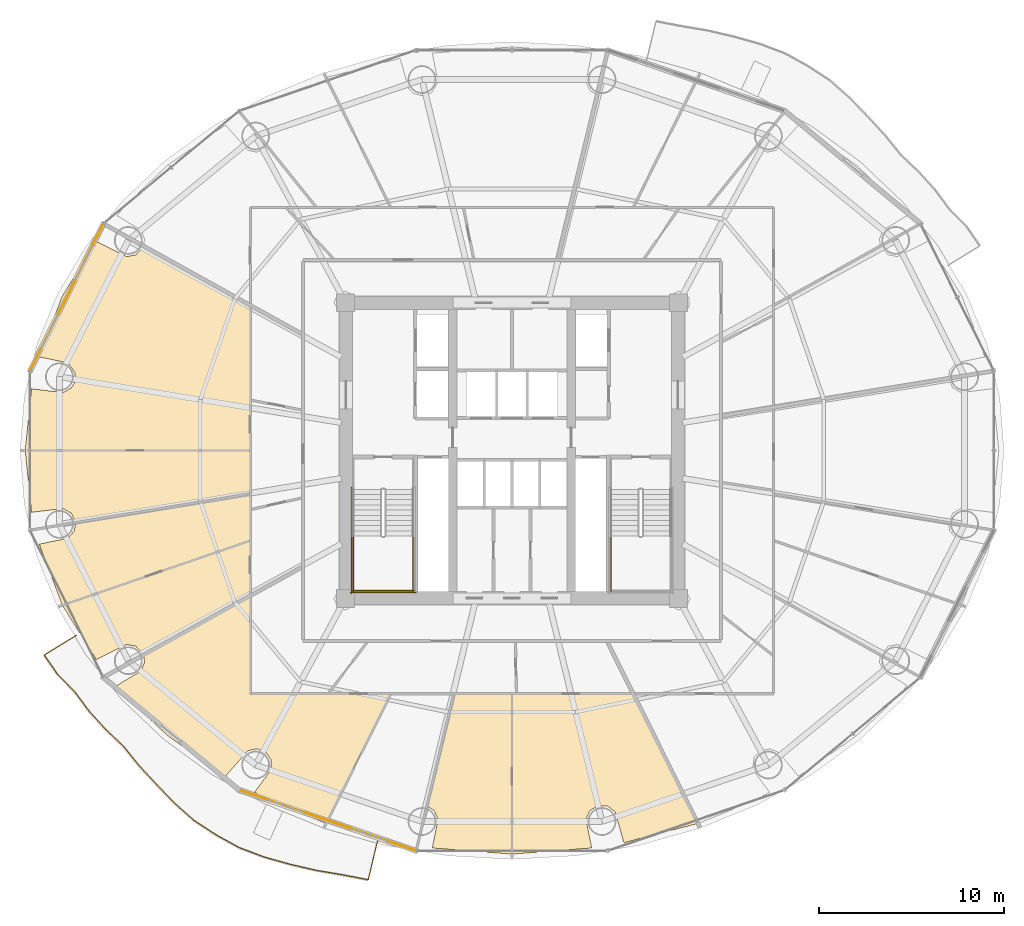
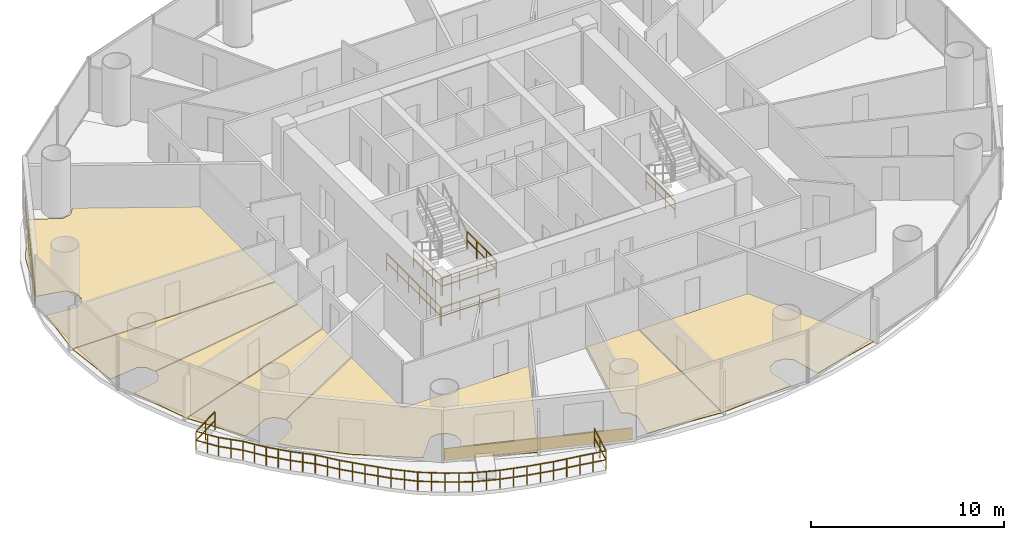
# One storey, part 25 of 28: 9 coverings, 7 railings.
"""IFC4 building model written with IfcOpenShell, lengths in metres."""

from ifc_helpers import new_model, si_unit, direction, frame, origin, origin_2d, place, context, subcontext, project, spatial, polyline, rectangle, outline, extrude, source, transform, mapped, material, layer, layer_set, type_object, element, save


model = new_model("IFC4")

# Units and contexts
model_context = context("Model", 3, precision=1e-05, world=origin(), true_north=direction((-0.2419218956, 0.970295726276)))
body_context = subcontext(model_context, "Body", "Model", "MODEL_VIEW")
ifc_project = project(units=[si_unit("LENGTHUNIT", "METRE"), si_unit("AREAUNIT", "SQUARE_METRE"), si_unit("VOLUMEUNIT", "CUBIC_METRE"), si_unit("PLANEANGLEUNIT", "RADIAN"), si_unit("MASSUNIT", "GRAM", prefix="KILO")], contexts=[model_context])

# Site, building, storey
site_placement = place(None, origin())
site = spatial("IfcSite", under=ifc_project, at=site_placement, CompositionType="ELEMENT")
building_placement = place(site_placement, origin())
building = spatial("IfcBuilding", under=site, at=building_placement, Name="Cobrevalo Terracotta Tower", CompositionType="ELEMENT")
storey_placement = place(building_placement, frame((0.0, 0.0, 108.60009765625)))
storey = spatial("IfcBuildingStorey", under=building, at=storey_placement, Name="L28", CompositionType="ELEMENT", Elevation=108.60009765625)

# Railing
ifc_material_1 = material(Name="Laminated structural glass and stainless steel", Category="steel")
railing_type_1 = type_object("IfcRailingType", Name="Balcony lobe structural glass & terracotta-cap balustrade 1180 mm", PredefinedType="BALUSTRADE", material=ifc_material_1)
railing_1_placement = place(storey_placement, frame((14.4384765625, 16.809814453125, 0.0)))
element("IfcRailing", 1, at=railing_1_placement, inside=storey, type_object=railing_type_1, Name="L28 spiralling balcony lobe balustrade 2", PredefinedType="BALUSTRADE", context=body_context, shape_type="SweptSolid", body=[
    extrude(rectangle(XDim=0.048095703125, YDim=0.048095703125, at=origin_2d()), frame((0.0, 0.0, 1.15576171875), z_axis=(-0.852273913913, -0.523095761465, 0.0), x_axis=(0.523095761465, -0.852273913913, 0.0)), (0.0, 0.0, 1.0), 2.02685546875),
    extrude(rectangle(XDim=0.048095703125, YDim=0.048095703125, at=origin_2d()), frame((0.0, 0.0, 0.58984375), z_axis=(-0.852273913913, -0.523095761465, 0.0), x_axis=(0.523095761465, -0.852273913913, 0.0)), (0.0, 0.0, 1.0), 2.02685546875),
    extrude(rectangle(XDim=0.048095703125, YDim=0.048095703125, at=origin_2d()), frame((-1.7275390625, -1.060302734375, 1.15576171875), z_axis=(0.568410862459, -0.822744851967, 0.0), x_axis=(0.822744851967, 0.568410862459, 0.0)), (0.0, 0.0, 1.0), 1.287353515625),
    extrude(rectangle(XDim=0.048095703125, YDim=0.048095703125, at=origin_2d()), frame((-1.7275390625, -1.060302734375, 0.58984375), z_axis=(0.568410862459, -0.822744851967, 0.0), x_axis=(0.822744851967, 0.568410862459, 0.0)), (0.0, 0.0, 1.0), 1.287353515625),
    extrude(rectangle(XDim=0.048095703125, YDim=0.048095703125, at=origin_2d()), frame((-0.995849609375, -2.119384765625, 1.15576171875), z_axis=(0.70227901407, -0.71190180952, 0.0), x_axis=(0.71190180952, 0.70227901407, 0.0)), (0.0, 0.0, 1.0), 1.3193359375),
    extrude(rectangle(XDim=0.048095703125, YDim=0.048095703125, at=origin_2d()), frame((-0.995849609375, -2.119384765625, 0.58984375), z_axis=(0.70227901407, -0.71190180952, 0.0), x_axis=(0.71190180952, 0.70227901407, 0.0)), (0.0, 0.0, 1.0), 1.3193359375),
    extrude(rectangle(XDim=0.048095703125, YDim=0.048095703125, at=origin_2d()), frame((-0.0693359375, -3.05859375, 1.15576171875), z_axis=(0.594354215831, -0.804203373609, 0.0), x_axis=(0.804203373609, 0.594354215831, 0.0)), (0.0, 0.0, 1.0), 1.30419921875),
    extrude(rectangle(XDim=0.048095703125, YDim=0.048095703125, at=origin_2d()), frame((-0.0693359375, -3.05859375, 0.58984375), z_axis=(0.594354215831, -0.804203373609, 0.0), x_axis=(0.804203373609, 0.594354215831, 0.0)), (0.0, 0.0, 1.0), 1.30419921875),
    extrude(rectangle(XDim=0.048095703125, YDim=0.048095703125, at=origin_2d()), frame((0.705810546875, -4.107421875, 1.15576171875), z_axis=(0.673033718972, -0.739611798937, 0.0), x_axis=(0.739611798937, 0.673033718972, 0.0)), (0.0, 0.0, 1.0), 1.312744140625),
    extrude(rectangle(XDim=0.048095703125, YDim=0.048095703125, at=origin_2d()), frame((0.705810546875, -4.107421875, 0.58984375), z_axis=(0.673033718972, -0.739611798937, 0.0), x_axis=(0.739611798937, 0.673033718972, 0.0)), (0.0, 0.0, 1.0), 1.312744140625),
    extrude(rectangle(XDim=0.048095703125, YDim=0.048095703125, at=origin_2d()), frame((1.58935546875, -5.078369140625, 1.15576171875), z_axis=(0.725494251527, -0.688228225955, 0.0), x_axis=(0.688228225955, 0.725494251527, 0.0)), (0.0, 0.0, 1.0), 1.329833984375),
    extrude(rectangle(XDim=0.048095703125, YDim=0.048095703125, at=origin_2d()), frame((1.58935546875, -5.078369140625, 0.58984375), z_axis=(0.725494251527, -0.688228225955, 0.0), x_axis=(0.688228225955, 0.725494251527, 0.0)), (0.0, 0.0, 1.0), 1.329833984375),
    extrude(rectangle(XDim=0.048095703125, YDim=0.048095703125, at=origin_2d()), frame((2.55419921875, -5.99365234375, 1.15576171875), z_axis=(0.628215103028, -0.778039706138, 0.0), x_axis=(0.778039706138, 0.628215103028, 0.0)), (0.0, 0.0, 1.0), 1.350830078125),
    extrude(rectangle(XDim=0.048095703125, YDim=0.048095703125, at=origin_2d()), frame((2.55419921875, -5.99365234375, 0.58984375), z_axis=(0.628215103028, -0.778039706138, 0.0), x_axis=(0.778039706138, 0.628215103028, 0.0)), (0.0, 0.0, 1.0), 1.350830078125),
    extrude(rectangle(XDim=0.048095703125, YDim=0.048095703125, at=origin_2d()), frame((3.40283203125, -7.044677734375, 1.15576171875), z_axis=(0.679284720325, -0.733874831789, 0.0), x_axis=(0.733874831789, 0.679284720325, 0.0)), (0.0, 0.0, 1.0), 1.3818359375),
    extrude(rectangle(XDim=0.048095703125, YDim=0.048095703125, at=origin_2d()), frame((3.40283203125, -7.044677734375, 0.58984375), z_axis=(0.679284720325, -0.733874831789, 0.0), x_axis=(0.733874831789, 0.679284720325, 0.0)), (0.0, 0.0, 1.0), 1.3818359375),
    extrude(rectangle(XDim=0.048095703125, YDim=0.048095703125, at=origin_2d()), frame((4.341552734375, -8.058837890625, 1.15576171875), z_axis=(0.69411947724, -0.719859813655, 0.0), x_axis=(0.719859813655, 0.69411947724, 0.0)), (0.0, 0.0, 1.0), 1.40380859375),
    extrude(rectangle(XDim=0.048095703125, YDim=0.048095703125, at=origin_2d()), frame((4.341552734375, -8.058837890625, 0.58984375), z_axis=(0.69411947724, -0.719859813655, 0.0), x_axis=(0.719859813655, 0.69411947724, 0.0)), (0.0, 0.0, 1.0), 1.40380859375),
    extrude(rectangle(XDim=0.048095703125, YDim=0.048095703125, at=origin_2d()), frame((5.31591796875, -9.0693359375, 1.15576171875), z_axis=(0.748333294176, -0.663322908414, 0.0), x_axis=(0.663322908414, 0.748333294176, 0.0)), (0.0, 0.0, 1.0), 1.4130859375),
    extrude(rectangle(XDim=0.048095703125, YDim=0.048095703125, at=origin_2d()), frame((5.31591796875, -9.0693359375, 0.58984375), z_axis=(0.748333294176, -0.663322908414, 0.0), x_axis=(0.663322908414, 0.748333294176, 0.0)), (0.0, 0.0, 1.0), 1.4130859375),
    extrude(rectangle(XDim=0.048095703125, YDim=0.048095703125, at=origin_2d()), frame((6.373291015625, -10.006591796875, 1.15576171875), z_axis=(0.836583000245, -0.547840199055, 0.0), x_axis=(0.547840199055, 0.836583000245, 0.0)), (0.0, 0.0, 1.0), 1.4248046875),
    extrude(rectangle(XDim=0.048095703125, YDim=0.048095703125, at=origin_2d()), frame((6.373291015625, -10.006591796875, 0.58984375), z_axis=(0.836583000245, -0.547840199055, 0.0), x_axis=(0.547840199055, 0.836583000245, 0.0)), (0.0, 0.0, 1.0), 1.4248046875),
    extrude(rectangle(XDim=0.048095703125, YDim=0.048095703125, at=origin_2d()), frame((7.565185546875, -10.787109375, 1.15576171875), z_axis=(0.875690245274, -0.482873269431, 0.0), x_axis=(0.482873269431, 0.875690245274, 0.0)), (0.0, 0.0, 1.0), 1.42333984375),
    extrude(rectangle(XDim=0.048095703125, YDim=0.048095703125, at=origin_2d()), frame((7.565185546875, -10.787109375, 0.58984375), z_axis=(0.875690245274, -0.482873269431, 0.0), x_axis=(0.482873269431, 0.875690245274, 0.0)), (0.0, 0.0, 1.0), 1.42333984375),
    extrude(rectangle(XDim=0.048095703125, YDim=0.048095703125, at=origin_2d()), frame((8.8115234375, -11.474365234375, 1.15576171875), z_axis=(0.935799010679, -0.352533986463, 0.0), x_axis=(0.352533986463, 0.935799010679, 0.0)), (0.0, 0.0, 1.0), 1.441162109375),
    extrude(rectangle(XDim=0.048095703125, YDim=0.048095703125, at=origin_2d()), frame((8.8115234375, -11.474365234375, 0.58984375), z_axis=(0.935799010679, -0.352533986463, 0.0), x_axis=(0.352533986463, 0.935799010679, 0.0)), (0.0, 0.0, 1.0), 1.441162109375),
    extrude(rectangle(XDim=0.048095703125, YDim=0.048095703125, at=origin_2d()), frame((10.16015625, -11.982421875, 1.15576171875), z_axis=(0.962605559733, -0.270906877673, 0.0), x_axis=(0.270906877673, 0.962605559733, 0.0)), (0.0, 0.0, 1.0), 1.446533203125),
    extrude(rectangle(XDim=0.048095703125, YDim=0.048095703125, at=origin_2d()), frame((10.16015625, -11.982421875, 0.58984375), z_axis=(0.962605559733, -0.270906877673, 0.0), x_axis=(0.270906877673, 0.962605559733, 0.0)), (0.0, 0.0, 1.0), 1.446533203125),
    extrude(rectangle(XDim=0.048095703125, YDim=0.048095703125, at=origin_2d()), frame((11.552490234375, -12.374267578125, 1.15576171875), z_axis=(0.974038470382, -0.226382548391, 0.0), x_axis=(0.226382548391, 0.974038470382, 0.0)), (0.0, 0.0, 1.0), 1.439697265625),
    extrude(rectangle(XDim=0.048095703125, YDim=0.048095703125, at=origin_2d()), frame((11.552490234375, -12.374267578125, 0.58984375), z_axis=(0.974038470382, -0.226382548391, 0.0), x_axis=(0.226382548391, 0.974038470382, 0.0)), (0.0, 0.0, 1.0), 1.439697265625),
    extrude(rectangle(XDim=0.048095703125, YDim=0.048095703125, at=origin_2d()), frame((12.954833984375, -12.7001953125, 1.15576171875), z_axis=(0.986050658072, -0.16644548572, 0.0), x_axis=(0.16644548572, 0.986050658072, 0.0)), (0.0, 0.0, 1.0), 1.45068359375),
    extrude(rectangle(XDim=0.048095703125, YDim=0.048095703125, at=origin_2d()), frame((12.954833984375, -12.7001953125, 0.58984375), z_axis=(0.986050658072, -0.16644548572, 0.0), x_axis=(0.16644548572, 0.986050658072, 0.0)), (0.0, 0.0, 1.0), 1.45068359375),
    extrude(rectangle(XDim=0.048095703125, YDim=0.048095703125, at=origin_2d()), frame((14.38525390625, -12.941650390625, 1.15576171875), z_axis=(0.982177265694, -0.187956959842, 0.0), x_axis=(0.187956959842, 0.982177265694, 0.0)), (0.0, 0.0, 1.0), 1.43408203125),
    extrude(rectangle(XDim=0.048095703125, YDim=0.048095703125, at=origin_2d()), frame((14.38525390625, -12.941650390625, 0.58984375), z_axis=(0.982177265694, -0.187956959842, 0.0), x_axis=(0.187956959842, 0.982177265694, 0.0)), (0.0, 0.0, 1.0), 1.43408203125),
    extrude(rectangle(XDim=0.048095703125, YDim=0.048095703125, at=origin_2d()), frame((15.793701171875, -13.211181640625, 1.15576171875), z_axis=(0.231417770922, 0.972854467689, 0.0), x_axis=(-0.972854467689, 0.231417770922, 0.0)), (0.0, 0.0, 1.0), 2.1162109375),
    extrude(rectangle(XDim=0.048095703125, YDim=0.048095703125, at=origin_2d()), frame((15.793701171875, -13.211181640625, 0.58984375), z_axis=(0.231417770922, 0.972854467689, 0.0), x_axis=(-0.972854467689, 0.231417770922, 0.0)), (0.0, 0.0, 1.0), 2.1162109375),
    extrude(rectangle(XDim=0.0419921875, YDim=0.0419921875, at=origin_2d()), origin(), (0.0, 0.0, 1.0), 1.1318359375),
    extrude(rectangle(XDim=0.0419921875, YDim=0.0419921875, at=origin_2d()), frame((-0.86376953125, -0.5302734375, 0.0)), (0.0, 0.0, 1.0), 1.1318359375),
    extrude(rectangle(XDim=0.0419921875, YDim=0.0419921875, at=origin_2d()), frame((-1.7275390625, -1.060302734375, 0.0)), (0.0, 0.0, 1.0), 1.1318359375),
    extrude(rectangle(XDim=0.0419921875, YDim=0.0419921875, at=origin_2d()), frame((-1.36181640625, -1.58984375, 0.0)), (0.0, 0.0, 1.0), 1.1318359375),
    extrude(rectangle(XDim=0.0419921875, YDim=0.0419921875, at=origin_2d()), frame((-0.995849609375, -2.119384765625, 0.0)), (0.0, 0.0, 1.0), 1.1318359375),
    extrude(rectangle(XDim=0.0419921875, YDim=0.0419921875, at=origin_2d()), frame((-0.53271484375, -2.5888671875, 0.0)), (0.0, 0.0, 1.0), 1.1318359375),
    extrude(rectangle(XDim=0.0419921875, YDim=0.0419921875, at=origin_2d()), frame((-0.0693359375, -3.05859375, 0.0)), (0.0, 0.0, 1.0), 1.1318359375),
    extrude(rectangle(XDim=0.0419921875, YDim=0.0419921875, at=origin_2d()), frame((0.318359375, -3.5830078125, 0.0)), (0.0, 0.0, 1.0), 1.1318359375),
    extrude(rectangle(XDim=0.0419921875, YDim=0.0419921875, at=origin_2d()), frame((0.705810546875, -4.107421875, 0.0)), (0.0, 0.0, 1.0), 1.1318359375),
    extrude(rectangle(XDim=0.0419921875, YDim=0.0419921875, at=origin_2d()), frame((1.1474609375, -4.5927734375, 0.0)), (0.0, 0.0, 1.0), 1.1318359375),
    extrude(rectangle(XDim=0.0419921875, YDim=0.0419921875, at=origin_2d()), frame((1.58935546875, -5.078369140625, 0.0)), (0.0, 0.0, 1.0), 1.1318359375),
    extrude(rectangle(XDim=0.0419921875, YDim=0.0419921875, at=origin_2d()), frame((2.07177734375, -5.5361328125, 0.0)), (0.0, 0.0, 1.0), 1.1318359375),
    extrude(rectangle(XDim=0.0419921875, YDim=0.0419921875, at=origin_2d()), frame((2.55419921875, -5.99365234375, 0.0)), (0.0, 0.0, 1.0), 1.1318359375),
    extrude(rectangle(XDim=0.0419921875, YDim=0.0419921875, at=origin_2d()), frame((2.978515625, -6.51904296875, 0.0)), (0.0, 0.0, 1.0), 1.1318359375),
    extrude(rectangle(XDim=0.0419921875, YDim=0.0419921875, at=origin_2d()), frame((3.40283203125, -7.044677734375, 0.0)), (0.0, 0.0, 1.0), 1.1318359375),
    extrude(rectangle(XDim=0.0419921875, YDim=0.0419921875, at=origin_2d()), frame((3.8720703125, -7.5517578125, 0.0)), (0.0, 0.0, 1.0), 1.1318359375),
    extrude(rectangle(XDim=0.0419921875, YDim=0.0419921875, at=origin_2d()), frame((4.341552734375, -8.058837890625, 0.0)), (0.0, 0.0, 1.0), 1.1318359375),
    extrude(rectangle(XDim=0.0419921875, YDim=0.0419921875, at=origin_2d()), frame((4.82861328125, -8.56396484375, 0.0)), (0.0, 0.0, 1.0), 1.1318359375),
    extrude(rectangle(XDim=0.0419921875, YDim=0.0419921875, at=origin_2d()), frame((5.31591796875, -9.0693359375, 0.0)), (0.0, 0.0, 1.0), 1.1318359375),
    extrude(rectangle(XDim=0.0419921875, YDim=0.0419921875, at=origin_2d()), frame((5.8447265625, -9.5380859375, 0.0)), (0.0, 0.0, 1.0), 1.1318359375),
    extrude(rectangle(XDim=0.0419921875, YDim=0.0419921875, at=origin_2d()), frame((6.373291015625, -10.006591796875, 0.0)), (0.0, 0.0, 1.0), 1.1318359375),
    extrude(rectangle(XDim=0.0419921875, YDim=0.0419921875, at=origin_2d()), frame((6.96923828125, -10.39697265625, 0.0)), (0.0, 0.0, 1.0), 1.1318359375),
    extrude(rectangle(XDim=0.0419921875, YDim=0.0419921875, at=origin_2d()), frame((7.565185546875, -10.787109375, 0.0)), (0.0, 0.0, 1.0), 1.1318359375),
    extrude(rectangle(XDim=0.0419921875, YDim=0.0419921875, at=origin_2d()), frame((8.1884765625, -11.130859375, 0.0)), (0.0, 0.0, 1.0), 1.1318359375),
    extrude(rectangle(XDim=0.0419921875, YDim=0.0419921875, at=origin_2d()), frame((8.8115234375, -11.474365234375, 0.0)), (0.0, 0.0, 1.0), 1.1318359375),
    extrude(rectangle(XDim=0.0419921875, YDim=0.0419921875, at=origin_2d()), frame((9.48583984375, -11.728515625, 0.0)), (0.0, 0.0, 1.0), 1.1318359375),
    extrude(rectangle(XDim=0.0419921875, YDim=0.0419921875, at=origin_2d()), frame((10.16015625, -11.982421875, 0.0)), (0.0, 0.0, 1.0), 1.1318359375),
    extrude(rectangle(XDim=0.0419921875, YDim=0.0419921875, at=origin_2d()), frame((10.8564453125, -12.17822265625, 0.0)), (0.0, 0.0, 1.0), 1.1318359375),
    extrude(rectangle(XDim=0.0419921875, YDim=0.0419921875, at=origin_2d()), frame((11.552490234375, -12.374267578125, 0.0)), (0.0, 0.0, 1.0), 1.1318359375),
    extrude(rectangle(XDim=0.0419921875, YDim=0.0419921875, at=origin_2d()), frame((12.253662109375, -12.537109375, 0.0)), (0.0, 0.0, 1.0), 1.1318359375),
    extrude(rectangle(XDim=0.0419921875, YDim=0.0419921875, at=origin_2d()), frame((12.954833984375, -12.7001953125, 0.0)), (0.0, 0.0, 1.0), 1.1318359375),
    extrude(rectangle(XDim=0.0419921875, YDim=0.0419921875, at=origin_2d()), frame((13.669921875, -12.82080078125, 0.0)), (0.0, 0.0, 1.0), 1.1318359375),
    extrude(rectangle(XDim=0.0419921875, YDim=0.0419921875, at=origin_2d()), frame((14.38525390625, -12.941650390625, 0.0)), (0.0, 0.0, 1.0), 1.1318359375),
    extrude(rectangle(XDim=0.0419921875, YDim=0.0419921875, at=origin_2d()), frame((15.08935546875, -13.076416015625, 0.0)), (0.0, 0.0, 1.0), 1.1318359375),
    extrude(rectangle(XDim=0.0419921875, YDim=0.0419921875, at=origin_2d()), frame((15.793701171875, -13.211181640625, 0.0)), (0.0, 0.0, 1.0), 1.1318359375),
    extrude(rectangle(XDim=0.0419921875, YDim=0.0419921875, at=origin_2d()), frame((16.03857421875, -12.181640625, 0.0)), (0.0, 0.0, 1.0), 1.1318359375),
    extrude(rectangle(XDim=0.0419921875, YDim=0.0419921875, at=origin_2d()), frame((16.283447265625, -11.15234375, 0.0)), (0.0, 0.0, 1.0), 1.1318359375),
])

# Coverings
ifc_material_2 = material(Name="Engineered Brazilian hardwood flooring", Category="wood")
ifc_layer_1 = layer(ifc_material_2, 0.028076171875)
ifc_layer_set_1 = layer_set([ifc_layer_1], Name="Engineered Brazilian hardwood flooring")
covering_type_1 = type_object("IfcCoveringType", Name="Engineered Hardwood Suite Flooring 28", PredefinedType="FLOORING", material=ifc_layer_set_1)
covering_1_placement = place(storey_placement, origin())
element("IfcCovering", 2, at=covering_1_placement, inside=storey, type_object=covering_type_1, Name="Flat L28C Penthouse Living and Dining Room floor finish", PredefinedType="FLOORING", context=body_context, shape_type="SweptSolid", body=[
    extrude(outline(polyline([(12.024169921875, 30.143310546875), (13.73095703125, 29.932861328125), (14.1728515625, 30.189208984375), (14.353759765625, 30.481201171875), (14.38623046875, 30.9912109375), (13.99267578125, 31.537841796875), (12.435791015625, 31.859619140625), (13.682861328125, 35.14892578125), (15.525146484375, 38.10546875), (17.15966796875, 37.286376953125), (17.661865234375, 37.381103515625), (18.0703125, 37.8408203125), (23.8349609375, 34.640625), (23.8349609375, 26.820068359375), (11.681640625, 26.820068359375), (12.024169921875, 30.143310546875)])), origin(), (0.0, 0.0, 1.0), 0.02978515625),
])
covering_2_placement = place(storey_placement, origin())
element("IfcCovering", 3, at=covering_2_placement, inside=storey, type_object=covering_type_1, Name="Flat L28C Master Bedroom floor finish", PredefinedType="FLOORING", context=body_context, shape_type="SweptSolid", body=[
    extrude(outline(polyline([(11.681640625, 26.780029296875), (23.8349609375, 26.780029296875), (23.8349609375, 24.479248046875), (14.39697265625, 22.919677734375), (14.1728515625, 23.41064453125), (13.73095703125, 23.6669921875), (12.024169921875, 23.45654296875), (11.681640625, 26.780029296875)])), origin(), (0.0, 0.0, 1.0), 0.02978515625),
])
covering_3_placement = place(storey_placement, origin())
element("IfcCovering", 4, at=covering_3_placement, inside=storey, type_object=covering_type_1, Name="Flat L28C Principal Guest Bedroom floor finish", PredefinedType="FLOORING", context=body_context, shape_type="SweptSolid", body=[
    extrude(outline(polyline([(12.435791015625, 21.740478515625), (13.99267578125, 22.06201171875), (14.330322265625, 22.445556640625), (14.402587890625, 22.8798828125), (23.8349609375, 24.438720703125), (23.8349609375, 21.9462890625), (13.6845703125, 18.453369140625), (12.435791015625, 21.740478515625)])), origin(), (0.0, 0.0, 1.0), 0.02978515625),
])
covering_4_placement = place(storey_placement, origin())
element("IfcCovering", 5, at=covering_4_placement, inside=storey, type_object=covering_type_1, Name="Flat L28C Penthouse Family Lounge floor finish", PredefinedType="FLOORING", context=body_context, shape_type="SweptSolid", body=[
    extrude(outline(polyline([(18.0703125, 15.759033203125), (17.661865234375, 16.218994140625), (17.15966796875, 16.3134765625), (15.525146484375, 15.49462890625), (13.703125, 18.417236328125), (23.8349609375, 21.904052734375), (23.8349609375, 18.959228515625), (18.0703125, 15.759033203125)])), origin(), (0.0, 0.0, 1.0), 0.02978515625),
])
covering_5_placement = place(storey_placement, origin())
element("IfcCovering", 6, at=covering_5_placement, inside=storey, type_object=covering_type_1, Name="Flat L28D Living and Dining Room floor finish", PredefinedType="FLOORING", context=body_context, shape_type="SweptSolid", body=[
    extrude(outline(polyline([(24.838623046875, 7.904052734375), (24.07568359375, 8.32666015625), (24.9814453125, 9.543701171875), (24.97998046875, 10.0546875), (24.694580078125, 10.478515625), (24.221923828125, 10.672607421875), (23.72119140625, 10.5712890625), (22.511474609375, 9.193359375), (19.3876953125, 11.372314453125), (17.117919921875, 13.518310546875), (16.64697265625, 14.102294921875), (17.94091796875, 14.88720703125), (18.131591796875, 15.361328125), (18.083740234375, 15.720703125), (23.8349609375, 18.91357421875), (23.8349609375, 13.635009765625), (31.4140625, 13.635009765625), (27.92822265625, 6.64306640625), (24.838623046875, 7.904052734375)])), origin(), (0.0, 0.0, 1.0), 0.02978515625),
])
covering_6_placement = place(storey_placement, origin())
element("IfcCovering", 7, at=covering_6_placement, inside=storey, type_object=covering_type_1, Name="Flat L28D Principal Guest Bedroom floor finish", PredefinedType="FLOORING", context=body_context, shape_type="SweptSolid", body=[
    extrude(outline(polyline([(33.6904296875, 5.310791015625), (34.002197265625, 6.87841796875), (33.7802734375, 7.3388671875), (33.4169921875, 7.5712890625), (34.86865234375, 13.635009765625), (37.97998046875, 13.635009765625), (37.97998046875, 4.981201171875), (33.6904296875, 5.310791015625)])), origin(), (0.0, 0.0, 1.0), 0.02978515625),
])
covering_7_placement = place(storey_placement, origin())
element("IfcCovering", 8, at=covering_7_placement, inside=storey, type_object=covering_type_1, Name="Flat L28D Penthouse Family Lounge floor finish", PredefinedType="FLOORING", context=body_context, shape_type="SweptSolid", body=[
    extrude(outline(polyline([(38.02001953125, 13.635009765625), (44.541259765625, 13.635009765625), (48.033447265625, 6.630126953125), (44.05078125, 5.59814453125), (43.578125, 7.261962890625), (43.170166015625, 7.5693359375), (42.659912109375, 7.59814453125), (42.2197265625, 7.3388671875), (41.997802734375, 6.87841796875), (42.3095703125, 5.310791015625), (38.02001953125, 4.981201171875), (38.02001953125, 13.635009765625)])), origin(), (0.0, 0.0, 1.0), 0.02978515625),
])

# Railings
ifc_material_3 = material(Name="Painted galvanized steel", Category="steel")
railing_type_2 = type_object("IfcRailingType", Name="Stair Well Guard Balustrade 1150", PredefinedType="GUARDRAIL", material=ifc_material_3)
for number, where, name in (
    (9, (29.425048828125, 22.179931640625, 1.7998046875), "L28 ST-1 stair guard 3"),
    (10, (32.64501953125, 22.179931640625, 1.7998046875), "L28 ST-1 stair guard 4"),
):
    element("IfcRailing", number, at=place(storey_placement, frame(where)), inside=storey, type_object=railing_type_2, Name=name, PredefinedType="GUARDRAIL", context=body_context, shape_type="SweptSolid", body=[
        extrude(rectangle(XDim=0.048095703125, YDim=0.048095703125, at=origin_2d()), frame((0.0, 0.0, 1.1259765625), z_axis=(0.0, -1.0, 0.0), x_axis=(1.0, 0.0, 0.0)), (0.0, 0.0, 1.0), 3.0048828125),
        extrude(rectangle(XDim=0.048095703125, YDim=0.048095703125, at=origin_2d()), frame((0.0, 0.0, 0.574951171875), z_axis=(0.0, -1.0, 0.0), x_axis=(1.0, 0.0, 0.0)), (0.0, 0.0, 1.0), 3.0048828125),
        extrude(rectangle(XDim=0.0419921875, YDim=0.0419921875, at=origin_2d()), origin(), (0.0, 0.0, 1.0), 1.101806640625),
        extrude(rectangle(XDim=0.0419921875, YDim=0.0419921875, at=origin_2d()), frame((0.0, -1.001708984375, 0.0)), (0.0, 0.0, 1.0), 1.101806640625),
        extrude(rectangle(XDim=0.0419921875, YDim=0.0419921875, at=origin_2d()), frame((0.0, -2.003173828125, 0.0)), (0.0, 0.0, 1.0), 1.101806640625),
        extrude(rectangle(XDim=0.0419921875, YDim=0.0419921875, at=origin_2d()), frame((0.0, -3.0048828125, 0.0)), (0.0, 0.0, 1.0), 1.101806640625),
    ])
railing_2_placement = place(storey_placement, frame((29.375, 19.22509765625, 1.7998046875)))
element("IfcRailing", 11, at=railing_2_placement, inside=storey, type_object=railing_type_2, Name="L28 ST-1 stair guard 5", PredefinedType="GUARDRAIL", context=body_context, shape_type="SweptSolid", body=[
    extrude(rectangle(XDim=0.048095703125, YDim=0.048095703125, at=origin_2d()), frame((0.0, 0.0, 1.1259765625), z_axis=(1.0, 0.0, 0.0), x_axis=(0.0, 1.0, 0.0)), (0.0, 0.0, 1.0), 3.320068359375),
    extrude(rectangle(XDim=0.048095703125, YDim=0.048095703125, at=origin_2d()), frame((0.0, 0.0, 0.574951171875), z_axis=(1.0, 0.0, 0.0), x_axis=(0.0, 1.0, 0.0)), (0.0, 0.0, 1.0), 3.320068359375),
    extrude(rectangle(XDim=0.0419921875, YDim=0.0419921875, at=origin_2d()), origin(), (0.0, 0.0, 1.0), 1.101806640625),
    extrude(rectangle(XDim=0.0419921875, YDim=0.0419921875, at=origin_2d()), frame((1.106689453125, 0.0, 0.0)), (0.0, 0.0, 1.0), 1.101806640625),
    extrude(rectangle(XDim=0.0419921875, YDim=0.0419921875, at=origin_2d()), frame((2.21337890625, 0.0, 0.0)), (0.0, 0.0, 1.0), 1.101806640625),
    extrude(rectangle(XDim=0.0419921875, YDim=0.0419921875, at=origin_2d()), frame((3.320068359375, 0.0, 0.0)), (0.0, 0.0, 1.0), 1.101806640625),
])
railing_3_placement = place(storey_placement, frame((29.324951171875, 24.800048828125, 0.0)))
element("IfcRailing", 12, at=railing_3_placement, inside=storey, type_object=railing_type_2, Name="L28 ST-1 stair guard 10", PredefinedType="GUARDRAIL", context=body_context, shape_type="SweptSolid", body=[
    extrude(rectangle(XDim=0.048095703125, YDim=0.048095703125, at=origin_2d()), frame((0.0, 0.0, 1.1259765625), z_axis=(0.0, -1.0, 0.0), x_axis=(1.0, 0.0, 0.0)), (0.0, 0.0, 1.0), 5.72509765625),
    extrude(rectangle(XDim=0.048095703125, YDim=0.048095703125, at=origin_2d()), frame((0.0, 0.0, 0.574951171875), z_axis=(0.0, -1.0, 0.0), x_axis=(1.0, 0.0, 0.0)), (0.0, 0.0, 1.0), 5.72509765625),
    extrude(rectangle(XDim=0.0419921875, YDim=0.0419921875, at=origin_2d()), origin(), (0.0, 0.0, 1.0), 1.101806640625),
    extrude(rectangle(XDim=0.0419921875, YDim=0.0419921875, at=origin_2d()), frame((0.0, -1.14501953125, 0.0)), (0.0, 0.0, 1.0), 1.101806640625),
    extrude(rectangle(XDim=0.0419921875, YDim=0.0419921875, at=origin_2d()), frame((0.0, -2.2900390625, 0.0)), (0.0, 0.0, 1.0), 1.101806640625),
    extrude(rectangle(XDim=0.0419921875, YDim=0.0419921875, at=origin_2d()), frame((0.0, -3.43505859375, 0.0)), (0.0, 0.0, 1.0), 1.101806640625),
    extrude(rectangle(XDim=0.0419921875, YDim=0.0419921875, at=origin_2d()), frame((0.0, -4.580078125, 0.0)), (0.0, 0.0, 1.0), 1.101806640625),
    extrude(rectangle(XDim=0.0419921875, YDim=0.0419921875, at=origin_2d()), frame((0.0, -5.72509765625, 0.0)), (0.0, 0.0, 1.0), 1.101806640625),
])
railing_4_placement = place(storey_placement, frame((29.27490234375, 19.125, 0.0)))
element("IfcRailing", 13, at=railing_4_placement, inside=storey, type_object=railing_type_2, Name="L28 ST-1 stair guard 12", PredefinedType="GUARDRAIL", context=body_context, shape_type="SweptSolid", body=[
    extrude(rectangle(XDim=0.048095703125, YDim=0.048095703125, at=origin_2d()), frame((0.0, 0.0, 1.1259765625), z_axis=(1.0, 0.0, 0.0), x_axis=(0.0, 1.0, 0.0)), (0.0, 0.0, 1.0), 3.52001953125),
    extrude(rectangle(XDim=0.048095703125, YDim=0.048095703125, at=origin_2d()), frame((0.0, 0.0, 0.574951171875), z_axis=(1.0, 0.0, 0.0), x_axis=(0.0, 1.0, 0.0)), (0.0, 0.0, 1.0), 3.52001953125),
    extrude(rectangle(XDim=0.0419921875, YDim=0.0419921875, at=origin_2d()), origin(), (0.0, 0.0, 1.0), 1.101806640625),
    extrude(rectangle(XDim=0.0419921875, YDim=0.0419921875, at=origin_2d()), frame((1.17333984375, 0.0, 0.0)), (0.0, 0.0, 1.0), 1.101806640625),
    extrude(rectangle(XDim=0.0419921875, YDim=0.0419921875, at=origin_2d()), frame((2.3466796875, 0.0, 0.0)), (0.0, 0.0, 1.0), 1.101806640625),
    extrude(rectangle(XDim=0.0419921875, YDim=0.0419921875, at=origin_2d()), frame((3.52001953125, 0.0, 0.0)), (0.0, 0.0, 1.0), 1.101806640625),
])
railing_5_placement = place(storey_placement, frame((43.35498046875, 22.179931640625, 1.7998046875)))
element("IfcRailing", 14, at=railing_5_placement, inside=storey, type_object=railing_type_2, Name="L28 ST-2 stair guard 3", PredefinedType="GUARDRAIL", context=body_context, shape_type="SweptSolid", body=[
    extrude(rectangle(XDim=0.048095703125, YDim=0.048095703125, at=origin_2d()), frame((0.0, 0.0, 1.1259765625), z_axis=(0.0, -1.0, 0.0), x_axis=(1.0, 0.0, 0.0)), (0.0, 0.0, 1.0), 3.0048828125),
    extrude(rectangle(XDim=0.048095703125, YDim=0.048095703125, at=origin_2d()), frame((0.0, 0.0, 0.574951171875), z_axis=(0.0, -1.0, 0.0), x_axis=(1.0, 0.0, 0.0)), (0.0, 0.0, 1.0), 3.0048828125),
    extrude(rectangle(XDim=0.0419921875, YDim=0.0419921875, at=origin_2d()), origin(), (0.0, 0.0, 1.0), 1.101806640625),
    extrude(rectangle(XDim=0.0419921875, YDim=0.0419921875, at=origin_2d()), frame((0.0, -1.001708984375, 0.0)), (0.0, 0.0, 1.0), 1.101806640625),
    extrude(rectangle(XDim=0.0419921875, YDim=0.0419921875, at=origin_2d()), frame((0.0, -2.003173828125, 0.0)), (0.0, 0.0, 1.0), 1.101806640625),
    extrude(rectangle(XDim=0.0419921875, YDim=0.0419921875, at=origin_2d()), frame((0.0, -3.0048828125, 0.0)), (0.0, 0.0, 1.0), 1.101806640625),
])

# Coverings
ifc_material_4 = material(Name="Glazed terracotta facade cladding tile", Category="masonry")
ifc_layer_2 = layer(ifc_material_4, 0.044921875)
ifc_layer_set_2 = layer_set([ifc_layer_2], Name="Glazed terracotta facade cladding tile")
covering_type_2 = type_object("IfcCoveringType", Name="Architectural terracotta rainscreen spandrel cladding 45 mm", PredefinedType="CLADDING", material=ifc_layer_set_2)
shared_shape_1 = source(origin(), body_context, "Body", "SweptSolid", [
    extrude(rectangle(XDim=8.690185546875, YDim=0.044921875, at=origin_2d()), origin(), (0.0, 0.0, 1.0), 0.760009765625),
])
covering_8_placement = place(storey_placement, frame((13.924072265625, 35.08349609375, 0.0400390625), z_axis=(0.0, 0.0, 1.0), x_axis=(-0.446261852127, -0.894902430065, 0.0)))
element("IfcCovering", 15, at=covering_8_placement, inside=storey, type_object=covering_type_2, Name="L28 terracotta spandrel cladding S07", PredefinedType="CLADDING", context=body_context, shape_type="MappedRepresentation", body=[
    mapped(shared_shape_1, transform((0.0, 0.0, 0.0), scale=1.0)),
])
shared_shape_2 = source(origin(), body_context, "Body", "SweptSolid", [
    extrude(rectangle(XDim=9.928955078125, YDim=0.044921875, at=origin_2d()), origin(), (0.0, 0.0, 1.0), 0.760009765625),
])
covering_9_placement = place(storey_placement, frame((28.027587890625, 6.8017578125, 0.0400390625), z_axis=(0.0, 0.0, 1.0), x_axis=(0.945596395206, -0.325342062104, 0.0)))
element("IfcCovering", 16, at=covering_9_placement, inside=storey, type_object=covering_type_2, Name="L28 terracotta spandrel cladding S11", PredefinedType="CLADDING", context=body_context, shape_type="MappedRepresentation", body=[
    mapped(shared_shape_2, transform((0.0, 0.0, 0.0), scale=1.0)),
])

save(model, "model.ifc")
